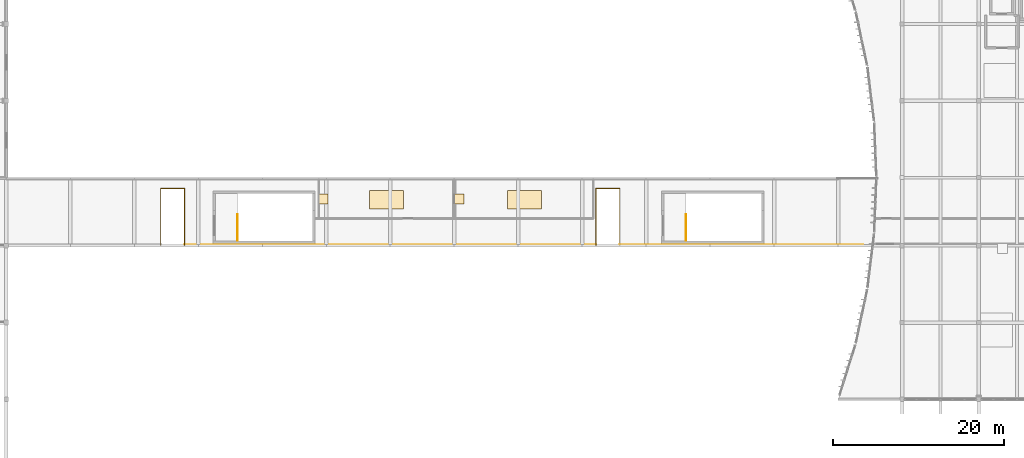
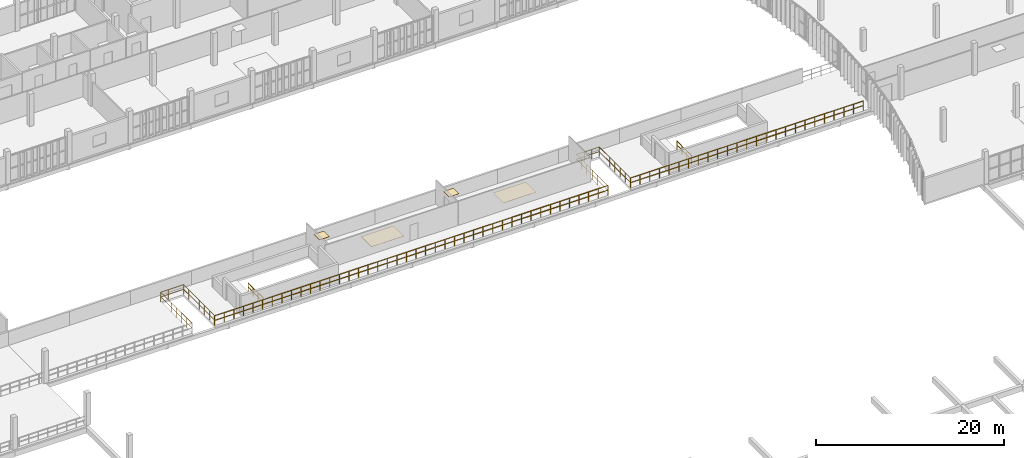
# One storey, part 53 of 61: 6 railings, 4 coverings.
"""IFC4 building model written with IfcOpenShell, lengths in metres."""

from ifc_helpers import new_model, si_unit, direction, frame, origin, origin_2d, place, context, subcontext, project, spatial, rectangle, circle, extrude, material, layer, layer_set, type_object, element, save


model = new_model("IFC4")

# Units and contexts
model_context = context("Model", 3, precision=1e-05, world=origin(), true_north=direction((0.0, 1.0)))
body_context = subcontext(model_context, "Body", "Model", "MODEL_VIEW")
ifc_project = project(units=[si_unit("LENGTHUNIT", "METRE"), si_unit("AREAUNIT", "SQUARE_METRE"), si_unit("VOLUMEUNIT", "CUBIC_METRE"), si_unit("PLANEANGLEUNIT", "RADIAN"), si_unit("MASSUNIT", "GRAM", prefix="KILO")], contexts=[model_context])

# Site, building, storey
site_placement = place(None, origin())
site = spatial("IfcSite", under=ifc_project, at=site_placement, CompositionType="ELEMENT")
building_placement = place(site_placement, origin())
building = spatial("IfcBuilding", under=site, at=building_placement, Name="Vourika Railside Aquatics Centre", CompositionType="ELEMENT")
storey_placement = place(building_placement, frame((0.0, 0.0, 9.300048828125)))
storey = spatial("IfcBuildingStorey", under=building, at=storey_placement, Name="L02", CompositionType="ELEMENT", Elevation=9.300048828125)

# Coverings
ifc_material_1 = material(Name="Perforated moisture-resistant acoustic gypsum ceiling")
ifc_layer_1 = layer(ifc_material_1, 0.02490234375, Name="COV-CEIL-25")
ifc_layer_set_1 = layer_set([ifc_layer_1], Name="Perforated moisture-resistant acoustic gypsum ceiling")
covering_type_1 = type_object("IfcCoveringType", Name="COV-CEIL-25", PredefinedType="CEILING", material=ifc_layer_set_1)
for number, where, z_axis, x_axis, name in (
    (1, (73.1201171875, 63.492431640625, 2.637451171875), (0.0, 0.0, 1.0), (1.0, 0.0, 0.0), "Timing and Officials Box Acoustic Ceiling Panel"),
    (2, (89.02001953125, 63.492431640625, 2.637451171875), (0.0, 0.0, 1.0), (1.0, 0.0, 0.0), "Broadcast Media Commentary Boxes Acoustic Ceiling Panel"),
):
    element("IfcCovering", number, at=place(storey_placement, frame(where, z_axis=z_axis, x_axis=x_axis)), inside=storey, type_object=covering_type_1, Name=name, PredefinedType="CEILING", context=body_context, shape_type="SweptSolid", body=[
        extrude(rectangle(XDim=1.199951171875, YDim=1.199951171875, at=origin_2d()), origin(), (0.0, 0.0, 1.0), 0.02490234375),
    ])
ifc_material_2 = material(Name="Slip-resistant aqua ceramic sports flooring")
ifc_layer_2 = layer(ifc_material_2, 0.02001953125, Name="COV-FLOR-20")
ifc_layer_set_2 = layer_set([ifc_layer_2], Name="Slip-resistant aqua ceramic sports flooring")
covering_type_2 = type_object("IfcCoveringType", Name="COV-FLOR-20", PredefinedType="FLOORING", material=ifc_layer_set_2)
for number, where, z_axis, x_axis, name in (
    (3, (80.550048828125, 63.39990234375, 0.0), (0.0, 0.0, 1.0), (1.0, 0.0, 0.0), "Timing and Officials Box Sports Flooring Panel"),
    (4, (96.75, 63.39990234375, 0.0), (0.0, 0.0, 1.0), (1.0, 0.0, 0.0), "Broadcast Media Commentary Boxes Sports Flooring Panel"),
):
    element("IfcCovering", number, at=place(storey_placement, frame(where, z_axis=z_axis, x_axis=x_axis)), inside=storey, type_object=covering_type_2, Name=name, PredefinedType="FLOORING", context=body_context, shape_type="SweptSolid", body=[
        extrude(rectangle(XDim=4.0, YDim=2.199951171875, at=origin_2d()), origin(), (0.0, 0.0, 1.0), 0.02001953125),
    ])

# Railings
ifc_material_3 = material(Name="Duplex stainless steel EN 1.4462", Category="steel")
railing_type_1 = type_object("IfcRailingType", Name="RL-BAL-CAT125", PredefinedType="BALUSTRADE", material=ifc_material_3)
railing_1_placement = place(storey_placement, frame((56.8798828125, 58.080078125, 0.0)))
element("IfcRailing", 5, at=railing_1_placement, inside=storey, type_object=railing_type_1, Name="Broadcast Catwalk Poolside Guard 2", PredefinedType="BALUSTRADE", context=body_context, shape_type="SweptSolid", body=[
    extrude(circle(Radius=0.02392578125, at=origin_2d()), frame((0.0, 0.0, 1.22607421875), z_axis=(1.0, 0.0, 0.0), x_axis=(0.0, 1.0, 0.0)), (0.0, 0.0, 1.0), 48.240234375),
    extrude(circle(Radius=0.02392578125, at=origin_2d()), frame((0.0, 0.0, 0.625), z_axis=(1.0, 0.0, 0.0), x_axis=(0.0, 1.0, 0.0)), (0.0, 0.0, 1.0), 48.240234375),
    extrude(circle(Radius=0.02099609375, at=origin_2d()), origin(), (0.0, 0.0, 1.0), 1.201904296875),
    extrude(circle(Radius=0.02099609375, at=origin_2d()), frame((1.176513671875, 0.0, 0.0)), (0.0, 0.0, 1.0), 1.201904296875),
    extrude(circle(Radius=0.02099609375, at=origin_2d()), frame((2.353271484375, 0.0, 0.0)), (0.0, 0.0, 1.0), 1.201904296875),
    extrude(circle(Radius=0.02099609375, at=origin_2d()), frame((3.52978515625, 0.0, 0.0)), (0.0, 0.0, 1.0), 1.201904296875),
    extrude(circle(Radius=0.02099609375, at=origin_2d()), frame((4.706298828125, 0.0, 0.0)), (0.0, 0.0, 1.0), 1.201904296875),
    extrude(circle(Radius=0.02099609375, at=origin_2d()), frame((5.883056640625, 0.0, 0.0)), (0.0, 0.0, 1.0), 1.201904296875),
    extrude(circle(Radius=0.02099609375, at=origin_2d()), frame((7.0595703125, 0.0, 0.0)), (0.0, 0.0, 1.0), 1.201904296875),
    extrude(circle(Radius=0.02099609375, at=origin_2d()), frame((8.236083984375, 0.0, 0.0)), (0.0, 0.0, 1.0), 1.201904296875),
    extrude(circle(Radius=0.02099609375, at=origin_2d()), frame((9.412841796875, 0.0, 0.0)), (0.0, 0.0, 1.0), 1.201904296875),
    extrude(circle(Radius=0.02099609375, at=origin_2d()), frame((10.58935546875, 0.0, 0.0)), (0.0, 0.0, 1.0), 1.201904296875),
    extrude(circle(Radius=0.02099609375, at=origin_2d()), frame((11.765869140625, 0.0, 0.0)), (0.0, 0.0, 1.0), 1.201904296875),
    extrude(circle(Radius=0.02099609375, at=origin_2d()), frame((12.9423828125, 0.0, 0.0)), (0.0, 0.0, 1.0), 1.201904296875),
    extrude(circle(Radius=0.02099609375, at=origin_2d()), frame((14.119140625, 0.0, 0.0)), (0.0, 0.0, 1.0), 1.201904296875),
    extrude(circle(Radius=0.02099609375, at=origin_2d()), frame((15.295654296875, 0.0, 0.0)), (0.0, 0.0, 1.0), 1.201904296875),
    extrude(circle(Radius=0.02099609375, at=origin_2d()), frame((16.47216796875, 0.0, 0.0)), (0.0, 0.0, 1.0), 1.201904296875),
    extrude(circle(Radius=0.02099609375, at=origin_2d()), frame((17.64892578125, 0.0, 0.0)), (0.0, 0.0, 1.0), 1.201904296875),
    extrude(circle(Radius=0.02099609375, at=origin_2d()), frame((18.825439453125, 0.0, 0.0)), (0.0, 0.0, 1.0), 1.201904296875),
    extrude(circle(Radius=0.02099609375, at=origin_2d()), frame((20.001953125, 0.0, 0.0)), (0.0, 0.0, 1.0), 1.201904296875),
    extrude(circle(Radius=0.02099609375, at=origin_2d()), frame((21.1787109375, 0.0, 0.0)), (0.0, 0.0, 1.0), 1.201904296875),
    extrude(circle(Radius=0.02099609375, at=origin_2d()), frame((22.355224609375, 0.0, 0.0)), (0.0, 0.0, 1.0), 1.201904296875),
    extrude(circle(Radius=0.02099609375, at=origin_2d()), frame((23.53173828125, 0.0, 0.0)), (0.0, 0.0, 1.0), 1.201904296875),
    extrude(circle(Radius=0.02099609375, at=origin_2d()), frame((24.70849609375, 0.0, 0.0)), (0.0, 0.0, 1.0), 1.201904296875),
    extrude(circle(Radius=0.02099609375, at=origin_2d()), frame((25.885009765625, 0.0, 0.0)), (0.0, 0.0, 1.0), 1.201904296875),
    extrude(circle(Radius=0.02099609375, at=origin_2d()), frame((27.0615234375, 0.0, 0.0)), (0.0, 0.0, 1.0), 1.201904296875),
    extrude(circle(Radius=0.02099609375, at=origin_2d()), frame((28.23828125, 0.0, 0.0)), (0.0, 0.0, 1.0), 1.201904296875),
    extrude(circle(Radius=0.02099609375, at=origin_2d()), frame((29.414794921875, 0.0, 0.0)), (0.0, 0.0, 1.0), 1.201904296875),
    extrude(circle(Radius=0.02099609375, at=origin_2d()), frame((30.59130859375, 0.0, 0.0)), (0.0, 0.0, 1.0), 1.201904296875),
    extrude(circle(Radius=0.02099609375, at=origin_2d()), frame((31.76806640625, 0.0, 0.0)), (0.0, 0.0, 1.0), 1.201904296875),
    extrude(circle(Radius=0.02099609375, at=origin_2d()), frame((32.944580078125, 0.0, 0.0)), (0.0, 0.0, 1.0), 1.201904296875),
    extrude(circle(Radius=0.02099609375, at=origin_2d()), frame((34.12109375, 0.0, 0.0)), (0.0, 0.0, 1.0), 1.201904296875),
    extrude(circle(Radius=0.02099609375, at=origin_2d()), frame((35.2978515625, 0.0, 0.0)), (0.0, 0.0, 1.0), 1.201904296875),
    extrude(circle(Radius=0.02099609375, at=origin_2d()), frame((36.474365234375, 0.0, 0.0)), (0.0, 0.0, 1.0), 1.201904296875),
    extrude(circle(Radius=0.02099609375, at=origin_2d()), frame((37.65087890625, 0.0, 0.0)), (0.0, 0.0, 1.0), 1.201904296875),
    extrude(circle(Radius=0.02099609375, at=origin_2d()), frame((38.827392578125, 0.0, 0.0)), (0.0, 0.0, 1.0), 1.201904296875),
    extrude(circle(Radius=0.02099609375, at=origin_2d()), frame((40.004150390625, 0.0, 0.0)), (0.0, 0.0, 1.0), 1.201904296875),
    extrude(circle(Radius=0.02099609375, at=origin_2d()), frame((41.1806640625, 0.0, 0.0)), (0.0, 0.0, 1.0), 1.201904296875),
    extrude(circle(Radius=0.02099609375, at=origin_2d()), frame((42.357177734375, 0.0, 0.0)), (0.0, 0.0, 1.0), 1.201904296875),
    extrude(circle(Radius=0.02099609375, at=origin_2d()), frame((43.533935546875, 0.0, 0.0)), (0.0, 0.0, 1.0), 1.201904296875),
    extrude(circle(Radius=0.02099609375, at=origin_2d()), frame((44.71044921875, 0.0, 0.0)), (0.0, 0.0, 1.0), 1.201904296875),
    extrude(circle(Radius=0.02099609375, at=origin_2d()), frame((45.886962890625, 0.0, 0.0)), (0.0, 0.0, 1.0), 1.201904296875),
    extrude(circle(Radius=0.02099609375, at=origin_2d()), frame((47.063720703125, 0.0, 0.0)), (0.0, 0.0, 1.0), 1.201904296875),
    extrude(circle(Radius=0.02099609375, at=origin_2d()), frame((48.240234375, 0.0, 0.0)), (0.0, 0.0, 1.0), 1.201904296875),
])
railing_2_placement = place(storey_placement, frame((107.8798828125, 58.080078125, 0.0)))
element("IfcRailing", 6, at=railing_2_placement, inside=storey, type_object=railing_type_1, Name="Broadcast Catwalk Poolside Guard 3", PredefinedType="BALUSTRADE", context=body_context, shape_type="SweptSolid", body=[
    extrude(circle(Radius=0.02392578125, at=origin_2d()), frame((0.0, 0.0, 1.22607421875), z_axis=(1.0, 0.0, 0.0), x_axis=(0.0, 1.0, 0.0)), (0.0, 0.0, 1.0), 28.570068359375),
    extrude(circle(Radius=0.02392578125, at=origin_2d()), frame((0.0, 0.0, 0.625), z_axis=(1.0, 0.0, 0.0), x_axis=(0.0, 1.0, 0.0)), (0.0, 0.0, 1.0), 28.570068359375),
    extrude(circle(Radius=0.02099609375, at=origin_2d()), origin(), (0.0, 0.0, 1.0), 1.201904296875),
    extrude(circle(Radius=0.02099609375, at=origin_2d()), frame((1.1904296875, 0.0, 0.0)), (0.0, 0.0, 1.0), 1.201904296875),
    extrude(circle(Radius=0.02099609375, at=origin_2d()), frame((2.380859375, 0.0, 0.0)), (0.0, 0.0, 1.0), 1.201904296875),
    extrude(circle(Radius=0.02099609375, at=origin_2d()), frame((3.5712890625, 0.0, 0.0)), (0.0, 0.0, 1.0), 1.201904296875),
    extrude(circle(Radius=0.02099609375, at=origin_2d()), frame((4.76171875, 0.0, 0.0)), (0.0, 0.0, 1.0), 1.201904296875),
    extrude(circle(Radius=0.02099609375, at=origin_2d()), frame((5.9521484375, 0.0, 0.0)), (0.0, 0.0, 1.0), 1.201904296875),
    extrude(circle(Radius=0.02099609375, at=origin_2d()), frame((7.142578125, 0.0, 0.0)), (0.0, 0.0, 1.0), 1.201904296875),
    extrude(circle(Radius=0.02099609375, at=origin_2d()), frame((8.3330078125, 0.0, 0.0)), (0.0, 0.0, 1.0), 1.201904296875),
    extrude(circle(Radius=0.02099609375, at=origin_2d()), frame((9.5234375, 0.0, 0.0)), (0.0, 0.0, 1.0), 1.201904296875),
    extrude(circle(Radius=0.02099609375, at=origin_2d()), frame((10.7138671875, 0.0, 0.0)), (0.0, 0.0, 1.0), 1.201904296875),
    extrude(circle(Radius=0.02099609375, at=origin_2d()), frame((11.904296875, 0.0, 0.0)), (0.0, 0.0, 1.0), 1.201904296875),
    extrude(circle(Radius=0.02099609375, at=origin_2d()), frame((13.0947265625, 0.0, 0.0)), (0.0, 0.0, 1.0), 1.201904296875),
    extrude(circle(Radius=0.02099609375, at=origin_2d()), frame((14.28515625, 0.0, 0.0)), (0.0, 0.0, 1.0), 1.201904296875),
    extrude(circle(Radius=0.02099609375, at=origin_2d()), frame((15.475341796875, 0.0, 0.0)), (0.0, 0.0, 1.0), 1.201904296875),
    extrude(circle(Radius=0.02099609375, at=origin_2d()), frame((16.665771484375, 0.0, 0.0)), (0.0, 0.0, 1.0), 1.201904296875),
    extrude(circle(Radius=0.02099609375, at=origin_2d()), frame((17.856201171875, 0.0, 0.0)), (0.0, 0.0, 1.0), 1.201904296875),
    extrude(circle(Radius=0.02099609375, at=origin_2d()), frame((19.046630859375, 0.0, 0.0)), (0.0, 0.0, 1.0), 1.201904296875),
    extrude(circle(Radius=0.02099609375, at=origin_2d()), frame((20.237060546875, 0.0, 0.0)), (0.0, 0.0, 1.0), 1.201904296875),
    extrude(circle(Radius=0.02099609375, at=origin_2d()), frame((21.427490234375, 0.0, 0.0)), (0.0, 0.0, 1.0), 1.201904296875),
    extrude(circle(Radius=0.02099609375, at=origin_2d()), frame((22.617919921875, 0.0, 0.0)), (0.0, 0.0, 1.0), 1.201904296875),
    extrude(circle(Radius=0.02099609375, at=origin_2d()), frame((23.808349609375, 0.0, 0.0)), (0.0, 0.0, 1.0), 1.201904296875),
    extrude(circle(Radius=0.02099609375, at=origin_2d()), frame((24.998779296875, 0.0, 0.0)), (0.0, 0.0, 1.0), 1.201904296875),
    extrude(circle(Radius=0.02099609375, at=origin_2d()), frame((26.189208984375, 0.0, 0.0)), (0.0, 0.0, 1.0), 1.201904296875),
    extrude(circle(Radius=0.02099609375, at=origin_2d()), frame((27.379638671875, 0.0, 0.0)), (0.0, 0.0, 1.0), 1.201904296875),
    extrude(circle(Radius=0.02099609375, at=origin_2d()), frame((28.570068359375, 0.0, 0.0)), (0.0, 0.0, 1.0), 1.201904296875),
])
railing_3_placement = place(storey_placement, frame((54.10009765625, 58.080078125, 0.0)))
element("IfcRailing", 7, at=railing_3_placement, inside=storey, type_object=railing_type_1, Name="Broadcast Catwalk Vomitory Well Guard VOM5", PredefinedType="BALUSTRADE", context=body_context, shape_type="SweptSolid", body=[
    extrude(circle(Radius=0.02392578125, at=origin_2d()), frame((0.0, 0.0, 1.22607421875), z_axis=(0.0, 1.0, 0.0), x_axis=(-1.0, 0.0, 0.0)), (0.0, 0.0, 1.0), 6.639892578125),
    extrude(circle(Radius=0.02392578125, at=origin_2d()), frame((0.0, 0.0, 0.625), z_axis=(0.0, 1.0, 0.0), x_axis=(-1.0, 0.0, 0.0)), (0.0, 0.0, 1.0), 6.639892578125),
    extrude(circle(Radius=0.02392578125, at=origin_2d()), frame((0.0, 6.639892578125, 1.22607421875), z_axis=(1.0, 0.0, 0.0), x_axis=(0.0, 1.0, 0.0)), (0.0, 0.0, 1.0), 2.7998046875),
    extrude(circle(Radius=0.02392578125, at=origin_2d()), frame((0.0, 6.639892578125, 0.625), z_axis=(1.0, 0.0, 0.0), x_axis=(0.0, 1.0, 0.0)), (0.0, 0.0, 1.0), 2.7998046875),
    extrude(circle(Radius=0.02392578125, at=origin_2d()), frame((2.7998046875, 6.639892578125, 1.22607421875), z_axis=(0.0, -1.0, 0.0), x_axis=(1.0, 0.0, 0.0)), (0.0, 0.0, 1.0), 6.639892578125),
    extrude(circle(Radius=0.02392578125, at=origin_2d()), frame((2.7998046875, 6.639892578125, 0.625), z_axis=(0.0, -1.0, 0.0), x_axis=(1.0, 0.0, 0.0)), (0.0, 0.0, 1.0), 6.639892578125),
    extrude(circle(Radius=0.02099609375, at=origin_2d()), origin(), (0.0, 0.0, 1.0), 1.201904296875),
    extrude(circle(Radius=0.02099609375, at=origin_2d()), frame((0.0, 1.106689453125, 0.0)), (0.0, 0.0, 1.0), 1.201904296875),
    extrude(circle(Radius=0.02099609375, at=origin_2d()), frame((0.0, 2.21337890625, 0.0)), (0.0, 0.0, 1.0), 1.201904296875),
    extrude(circle(Radius=0.02099609375, at=origin_2d()), frame((0.0, 3.31982421875, 0.0)), (0.0, 0.0, 1.0), 1.201904296875),
    extrude(circle(Radius=0.02099609375, at=origin_2d()), frame((0.0, 4.426513671875, 0.0)), (0.0, 0.0, 1.0), 1.201904296875),
    extrude(circle(Radius=0.02099609375, at=origin_2d()), frame((0.0, 5.533203125, 0.0)), (0.0, 0.0, 1.0), 1.201904296875),
    extrude(circle(Radius=0.02099609375, at=origin_2d()), frame((0.0, 6.639892578125, 0.0)), (0.0, 0.0, 1.0), 1.201904296875),
    extrude(circle(Radius=0.02099609375, at=origin_2d()), frame((0.933349609375, 6.639892578125, 0.0)), (0.0, 0.0, 1.0), 1.201904296875),
    extrude(circle(Radius=0.02099609375, at=origin_2d()), frame((1.866455078125, 6.639892578125, 0.0)), (0.0, 0.0, 1.0), 1.201904296875),
    extrude(circle(Radius=0.02099609375, at=origin_2d()), frame((2.7998046875, 6.639892578125, 0.0)), (0.0, 0.0, 1.0), 1.201904296875),
    extrude(circle(Radius=0.02099609375, at=origin_2d()), frame((2.7998046875, 5.533203125, 0.0)), (0.0, 0.0, 1.0), 1.201904296875),
    extrude(circle(Radius=0.02099609375, at=origin_2d()), frame((2.7998046875, 4.426513671875, 0.0)), (0.0, 0.0, 1.0), 1.201904296875),
    extrude(circle(Radius=0.02099609375, at=origin_2d()), frame((2.7998046875, 3.31982421875, 0.0)), (0.0, 0.0, 1.0), 1.201904296875),
    extrude(circle(Radius=0.02099609375, at=origin_2d()), frame((2.7998046875, 2.21337890625, 0.0)), (0.0, 0.0, 1.0), 1.201904296875),
    extrude(circle(Radius=0.02099609375, at=origin_2d()), frame((2.7998046875, 1.106689453125, 0.0)), (0.0, 0.0, 1.0), 1.201904296875),
    extrude(circle(Radius=0.02099609375, at=origin_2d()), frame((2.7998046875, 0.0, 0.0)), (0.0, 0.0, 1.0), 1.201904296875),
])
railing_4_placement = place(storey_placement, frame((105.10009765625, 58.080078125, 0.0)))
element("IfcRailing", 8, at=railing_4_placement, inside=storey, type_object=railing_type_1, Name="Broadcast Catwalk Vomitory Well Guard VOM6", PredefinedType="BALUSTRADE", context=body_context, shape_type="SweptSolid", body=[
    extrude(circle(Radius=0.02392578125, at=origin_2d()), frame((0.0, 0.0, 1.22607421875), z_axis=(0.0, 1.0, 0.0), x_axis=(-1.0, 0.0, 0.0)), (0.0, 0.0, 1.0), 6.639892578125),
    extrude(circle(Radius=0.02392578125, at=origin_2d()), frame((0.0, 0.0, 0.625), z_axis=(0.0, 1.0, 0.0), x_axis=(-1.0, 0.0, 0.0)), (0.0, 0.0, 1.0), 6.639892578125),
    extrude(circle(Radius=0.02392578125, at=origin_2d()), frame((0.0, 6.639892578125, 1.22607421875), z_axis=(1.0, 0.0, 0.0), x_axis=(0.0, 1.0, 0.0)), (0.0, 0.0, 1.0), 2.7998046875),
    extrude(circle(Radius=0.02392578125, at=origin_2d()), frame((0.0, 6.639892578125, 0.625), z_axis=(1.0, 0.0, 0.0), x_axis=(0.0, 1.0, 0.0)), (0.0, 0.0, 1.0), 2.7998046875),
    extrude(circle(Radius=0.02392578125, at=origin_2d()), frame((2.7998046875, 6.639892578125, 1.22607421875), z_axis=(0.0, -1.0, 0.0), x_axis=(1.0, 0.0, 0.0)), (0.0, 0.0, 1.0), 6.639892578125),
    extrude(circle(Radius=0.02392578125, at=origin_2d()), frame((2.7998046875, 6.639892578125, 0.625), z_axis=(0.0, -1.0, 0.0), x_axis=(1.0, 0.0, 0.0)), (0.0, 0.0, 1.0), 6.639892578125),
    extrude(circle(Radius=0.02099609375, at=origin_2d()), origin(), (0.0, 0.0, 1.0), 1.201904296875),
    extrude(circle(Radius=0.02099609375, at=origin_2d()), frame((0.0, 1.106689453125, 0.0)), (0.0, 0.0, 1.0), 1.201904296875),
    extrude(circle(Radius=0.02099609375, at=origin_2d()), frame((0.0, 2.21337890625, 0.0)), (0.0, 0.0, 1.0), 1.201904296875),
    extrude(circle(Radius=0.02099609375, at=origin_2d()), frame((0.0, 3.31982421875, 0.0)), (0.0, 0.0, 1.0), 1.201904296875),
    extrude(circle(Radius=0.02099609375, at=origin_2d()), frame((0.0, 4.426513671875, 0.0)), (0.0, 0.0, 1.0), 1.201904296875),
    extrude(circle(Radius=0.02099609375, at=origin_2d()), frame((0.0, 5.533203125, 0.0)), (0.0, 0.0, 1.0), 1.201904296875),
    extrude(circle(Radius=0.02099609375, at=origin_2d()), frame((0.0, 6.639892578125, 0.0)), (0.0, 0.0, 1.0), 1.201904296875),
    extrude(circle(Radius=0.02099609375, at=origin_2d()), frame((0.933349609375, 6.639892578125, 0.0)), (0.0, 0.0, 1.0), 1.201904296875),
    extrude(circle(Radius=0.02099609375, at=origin_2d()), frame((1.866455078125, 6.639892578125, 0.0)), (0.0, 0.0, 1.0), 1.201904296875),
    extrude(circle(Radius=0.02099609375, at=origin_2d()), frame((2.7998046875, 6.639892578125, 0.0)), (0.0, 0.0, 1.0), 1.201904296875),
    extrude(circle(Radius=0.02099609375, at=origin_2d()), frame((2.7998046875, 5.533203125, 0.0)), (0.0, 0.0, 1.0), 1.201904296875),
    extrude(circle(Radius=0.02099609375, at=origin_2d()), frame((2.7998046875, 4.426513671875, 0.0)), (0.0, 0.0, 1.0), 1.201904296875),
    extrude(circle(Radius=0.02099609375, at=origin_2d()), frame((2.7998046875, 3.31982421875, 0.0)), (0.0, 0.0, 1.0), 1.201904296875),
    extrude(circle(Radius=0.02099609375, at=origin_2d()), frame((2.7998046875, 2.21337890625, 0.0)), (0.0, 0.0, 1.0), 1.201904296875),
    extrude(circle(Radius=0.02099609375, at=origin_2d()), frame((2.7998046875, 1.106689453125, 0.0)), (0.0, 0.0, 1.0), 1.201904296875),
    extrude(circle(Radius=0.02099609375, at=origin_2d()), frame((2.7998046875, 0.0, 0.0)), (0.0, 0.0, 1.0), 1.201904296875),
])
railing_type_2 = type_object("IfcRailingType", Name="RL-STAIR-1120", PredefinedType="BALUSTRADE", material=ifc_material_3)
for number, where, name in (
    (9, (63.090087890625, 58.60009765625, 0.0), "Grandstand Vomitory Exit Stair ST08 L02 Well Edge Guard"),
    (10, (115.68994140625, 58.60009765625, 0.0), "Grandstand Vomitory Exit Stair ST10 L02 Well Edge Guard"),
):
    element("IfcRailing", number, at=place(storey_placement, frame(where)), inside=storey, type_object=railing_type_2, Name=name, PredefinedType="BALUSTRADE", context=body_context, shape_type="SweptSolid", body=[
        extrude(circle(Radius=0.02392578125, at=origin_2d()), frame((0.0, 0.0, 1.09619140625), z_axis=(0.0, 1.0, 0.0), x_axis=(-1.0, 0.0, 0.0)), (0.0, 0.0, 1.0), 3.099853515625),
        extrude(circle(Radius=0.02392578125, at=origin_2d()), frame((0.0, 0.0, 0.56005859375), z_axis=(0.0, 1.0, 0.0), x_axis=(-1.0, 0.0, 0.0)), (0.0, 0.0, 1.0), 3.099853515625),
        extrude(circle(Radius=0.02099609375, at=origin_2d()), origin(), (0.0, 0.0, 1.0), 1.072021484375),
        extrude(circle(Radius=0.02099609375, at=origin_2d()), frame((0.0, 1.033203125, 0.0)), (0.0, 0.0, 1.0), 1.072021484375),
        extrude(circle(Radius=0.02099609375, at=origin_2d()), frame((0.0, 2.066650390625, 0.0)), (0.0, 0.0, 1.0), 1.072021484375),
        extrude(circle(Radius=0.02099609375, at=origin_2d()), frame((0.0, 3.099853515625, 0.0)), (0.0, 0.0, 1.0), 1.072021484375),
    ])

save(model, "model.ifc")
